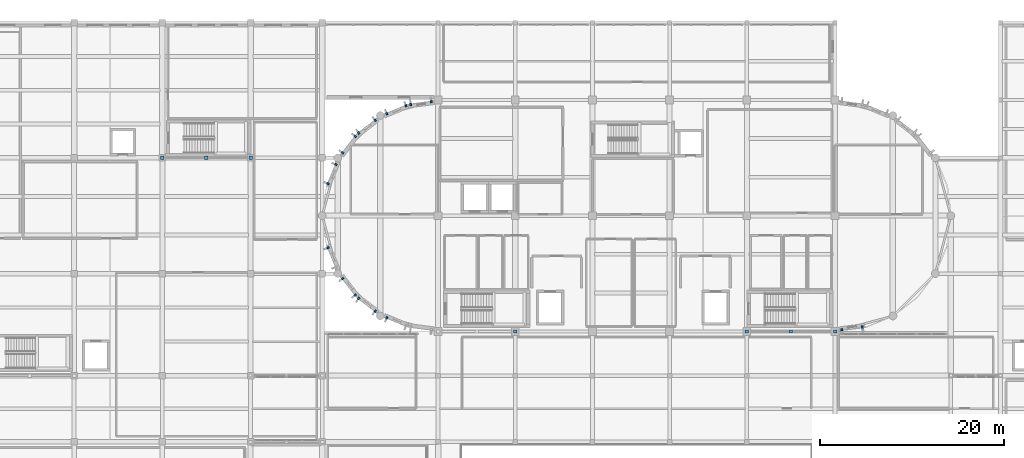
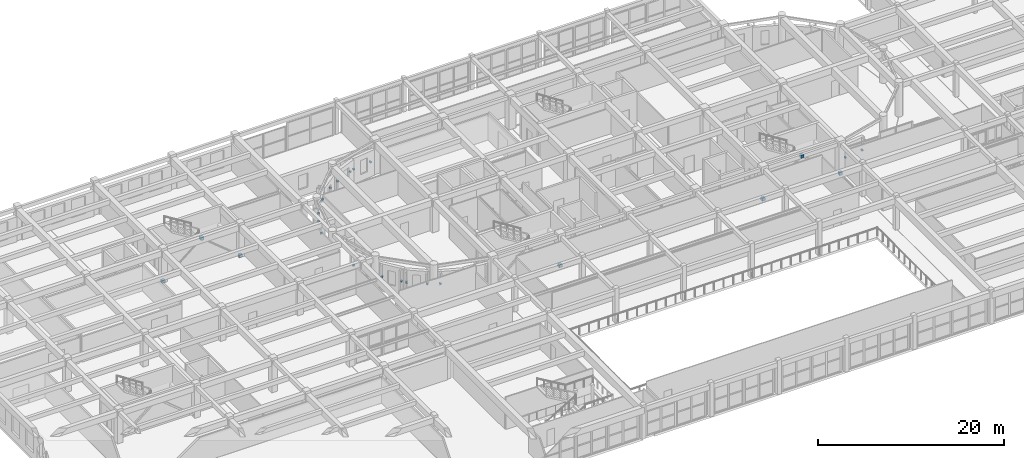
# One storey, part 76 of 92: 25 discrete accessories.
"""IFC4 building model written with IfcOpenShell, lengths in metres."""

from ifc_helpers import new_model, si_unit, direction, frame, origin, origin_2d, place, context, subcontext, project, spatial, rectangle, extrude, material, type_object, element, save


model = new_model("IFC4")

# Units and contexts
model_context = context("Model", 3, precision=1e-05, world=origin(), true_north=direction((0.0, 1.0)))
body_context = subcontext(model_context, "Body", "Model", "MODEL_VIEW")
ifc_project = project(units=[si_unit("LENGTHUNIT", "METRE"), si_unit("AREAUNIT", "SQUARE_METRE"), si_unit("VOLUMEUNIT", "CUBIC_METRE"), si_unit("PLANEANGLEUNIT", "RADIAN"), si_unit("MASSUNIT", "GRAM", prefix="KILO")], contexts=[model_context])

# Site, building, storey
site_placement = place(None, origin())
site = spatial("IfcSite", under=ifc_project, at=site_placement, CompositionType="ELEMENT")
building_placement = place(site_placement, origin())
building = spatial("IfcBuilding", under=site, at=building_placement, Name="Tarnavel Promenade Courthouse", CompositionType="ELEMENT")
storey_placement = place(building_placement, frame((0.0, 0.0, 5.39990234375)))
storey = spatial("IfcBuildingStorey", under=building, at=storey_placement, Name="L02", CompositionType="ELEMENT", Elevation=5.39990234375)

# Discrete accessories
ifc_material = material(Name="Steel S355J2", Category="steel")
discrete_accessory_type_1 = type_object("IfcDiscreteAccessoryType", Name="Steel S355J2 Facade Pier Anchor Bracket", PredefinedType="BRACKET", material=ifc_material)
for number, where, z_axis, x_axis, name in (
    (1, (58.074462890625, 104.20361328125, 1.59521484375), (0.0, 0.0, 1.0), (-0.991444861374, -0.13052619222, 0.0), "L02 Drum Pier Bracket 0031"),
    (2, (55.82958984375, 103.908203125, 1.59521484375), (0.0, 0.0, 1.0), (-0.991444861374, -0.13052619222, 0.0), "L02 Drum Pier Bracket 0032"),
    (3, (55.318603515625, 103.77099609375, 1.544921875), (0.0, 0.0, 1.0), (-0.923879532511, -0.382683432365, 0.0), "L02 Drum Pier Bracket 0033"),
    (4, (53.2265625, 102.904541015625, 1.544921875), (0.0, 0.0, 1.0), (-0.923879532511, -0.382683432365, 0.0), "L02 Drum Pier Bracket 0034"),
    (5, (51.9697265625, 102.178955078125, 1.544921875), (0.0, 0.0, 1.0), (-0.793353340291, -0.608761429009, 0.0), "L02 Drum Pier Bracket 0035"),
    (6, (50.173583984375, 100.80078125, 1.544921875), (0.0, 0.0, 1.0), (-0.793353340291, -0.608761429009, 0.0), "L02 Drum Pier Bracket 0036"),
    (7, (49.79931640625, 100.426513671875, 1.59521484375), (0.0, 0.0, 1.0), (-0.608761429009, -0.793353340291, 0.0), "L02 Drum Pier Bracket 0037"),
    (8, (48.4208984375, 98.630126953125, 1.59521484375), (0.0, 0.0, 1.0), (-0.608761429009, -0.793353340291, 0.0), "L02 Drum Pier Bracket 0038"),
    (9, (47.6953125, 97.373291015625, 1.59521484375), (0.0, 0.0, 1.0), (-0.382683432365, -0.923879532511, 0.0), "L02 Drum Pier Bracket 0039"),
    (10, (46.828857421875, 95.281494140625, 1.59521484375), (0.0, 0.0, 1.0), (-0.382683432365, -0.923879532511, 0.0), "L02 Drum Pier Bracket 0040"),
    (11, (46.828857421875, 88.318603515625, 1.59521484375), (0.0, 0.0, 1.0), (0.382683432365, -0.923879532511, 0.0), "L02 Drum Pier Bracket 0041"),
    (12, (48.4208984375, 84.9697265625, 1.59521484375), (0.0, 0.0, 1.0), (0.608761429009, -0.793353340291, 0.0), "L02 Drum Pier Bracket 0043"),
    (13, (49.79931640625, 83.173583984375, 1.59521484375), (0.0, 0.0, 1.0), (0.608761429009, -0.793353340291, 0.0), "L02 Drum Pier Bracket 0044"),
    (14, (50.173583984375, 82.79931640625, 1.544921875), (0.0, 0.0, 1.0), (0.793353340291, -0.608761429009, 0.0), "L02 Drum Pier Bracket 0045"),
    (15, (51.9697265625, 81.4208984375, 1.544921875), (0.0, 0.0, 1.0), (0.793353340291, -0.608761429009, 0.0), "L02 Drum Pier Bracket 0046"),
    (16, (53.2265625, 80.6953125, 1.544921875), (0.0, 0.0, 1.0), (0.923879532511, -0.382683432365, 0.0), "L02 Drum Pier Bracket 0047"),
    (17, (102.7255859375, 79.396484375, 1.59521484375), (0.0, 0.0, 1.0), (0.991444861374, 0.13052619222, 0.0), "L02 Drum Pier Bracket 0051"),
    (18, (104.970458984375, 79.69189453125, 1.59521484375), (0.0, 0.0, 1.0), (0.991444861374, 0.13052619222, 0.0), "L02 Drum Pier Bracket 0052"),
):
    element("IfcDiscreteAccessory", number, at=place(storey_placement, frame(where, z_axis=z_axis, x_axis=x_axis)), inside=storey, type_object=discrete_accessory_type_1, Name=name, PredefinedType="BRACKET", context=body_context, shape_type="SweptSolid", body=[
        extrude(rectangle(XDim=0.199951171875, YDim=0.260009765625, at=origin_2d()), origin(), (0.0, 0.0, 1.0), 0.179931640625),
    ])
discrete_accessory_type_2 = type_object("IfcDiscreteAccessoryType", Name="Steel S355J2 Structural Connection Bracket", PredefinedType="BRACKET", material=ifc_material)
for number, where, z_axis, x_axis, name in (
    (19, (67.199951171875, 79.199951171875, -0.0947265625), (0.0, 0.0, 1.0), (1.0, 0.0, 0.0), "L02 V5 Chevron Brace Gusset Node 003-R"),
    (20, (92.39990234375, 79.199951171875, -0.18994140625), (0.0, 0.0, 1.0), (1.0, 0.0, 0.0), "L02 V5 Chevron Brace Gusset Node 013-L"),
    (21, (97.199951171875, 79.199951171875, 3.755126953125), (0.0, 0.0, 1.0), (1.0, 0.0, 0.0), "L02 V5 Chevron Brace Gusset Node 013-M"),
    (22, (102.0, 79.199951171875, -0.18994140625), (0.0, 0.0, 1.0), (1.0, 0.0, 0.0), "L02 V5 Chevron Brace Gusset Node 013-R"),
    (23, (28.800048828125, 98.10009765625, -0.18994140625), (0.0, 0.0, 1.0), (1.0, 0.0, 0.0), "L02 V2 Chevron Brace Gusset Node 037-L"),
    (24, (33.60009765625, 98.10009765625, 3.755126953125), (0.0, 0.0, 1.0), (1.0, 0.0, 0.0), "L02 V2 Chevron Brace Gusset Node 037-M"),
    (25, (38.39990234375, 98.10009765625, -0.18994140625), (0.0, 0.0, 1.0), (1.0, 0.0, 0.0), "L02 V2 Chevron Brace Gusset Node 037-R"),
):
    element("IfcDiscreteAccessory", number, at=place(storey_placement, frame(where, z_axis=z_axis, x_axis=x_axis)), inside=storey, type_object=discrete_accessory_type_2, Name=name, PredefinedType="BRACKET", context=body_context, shape_type="SweptSolid", body=[
        extrude(rectangle(XDim=0.3798828125, YDim=0.360107421875, at=origin_2d()), origin(), (0.0, 0.0, 1.0), 0.3798828125),
    ])

save(model, "model.ifc")
